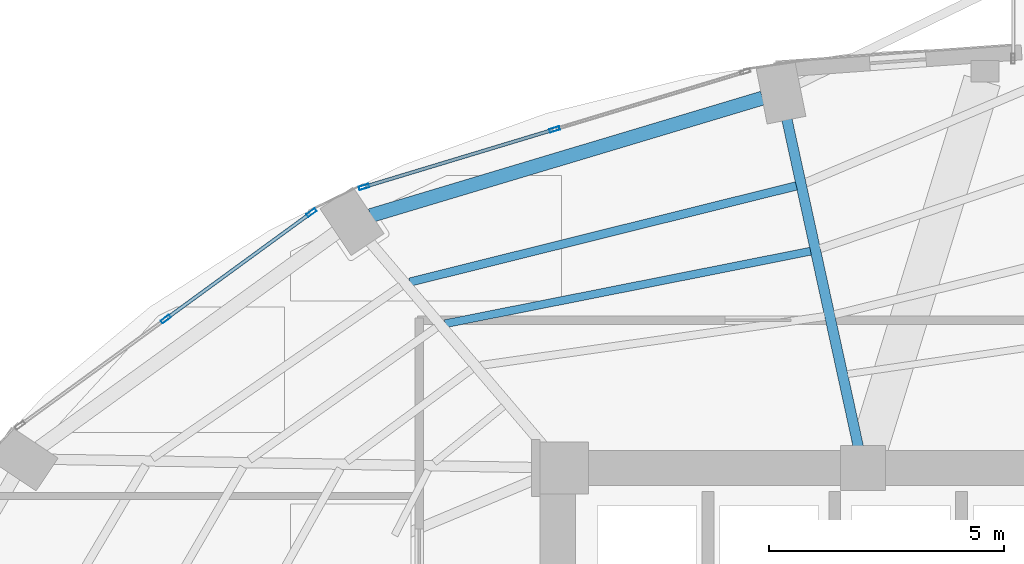
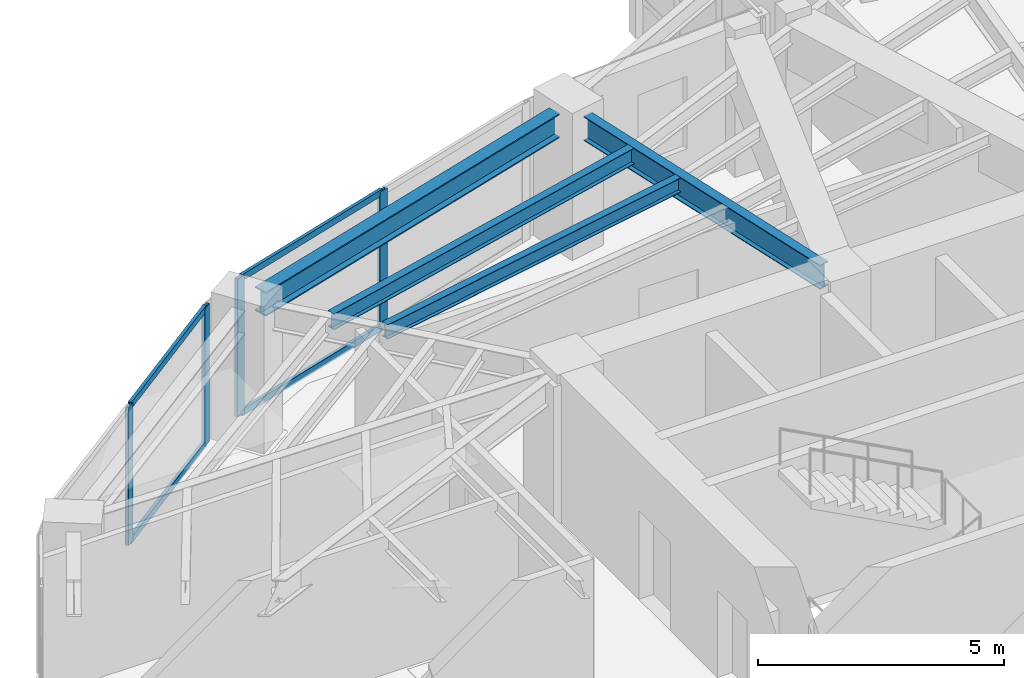
# One storey, part 14 of 24: 8 members, 4 beams, 2 elements without a shape of their own.
"""IFC4 building model written with IfcOpenShell, lengths in metres."""

from ifc_helpers import new_model, si_unit, direction, frame, origin, origin_2d, place, context, subcontext, project, spatial, hollow_rectangle, i_section, extrude, material, layer, layer_set, material_profile, profile_set, type_object, element, aggregate, save


model = new_model("IFC4")

# Units and contexts
model_context = context("Model", 3, precision=1e-05, world=origin(), true_north=direction((0.0, 1.0)))
body_context = subcontext(model_context, "Body", "Model", "MODEL_VIEW")
ifc_project = project(units=[si_unit("LENGTHUNIT", "METRE"), si_unit("AREAUNIT", "SQUARE_METRE"), si_unit("VOLUMEUNIT", "CUBIC_METRE"), si_unit("PLANEANGLEUNIT", "RADIAN"), si_unit("MASSUNIT", "GRAM", prefix="KILO")], contexts=[model_context])

# Site, building, storey
site_placement = place(None, origin())
site = spatial("IfcSite", under=ifc_project, at=site_placement, CompositionType="ELEMENT")
building_placement = place(site_placement, origin())
building = spatial("IfcBuilding", under=site, at=building_placement, Name="Lazwardi Medical Tower", CompositionType="ELEMENT")
storey_placement = place(building_placement, frame((0.0, 0.0, 96.3359375)))
storey = spatial("IfcBuildingStorey", under=building, at=storey_placement, Name="L24", CompositionType="ELEMENT", Elevation=96.3359375)

# Beams
ifc_material_1 = material(Name="Steel S355", Category="steel")
ifc_material_profile_1 = material_profile(ifc_material_1, i_section(OverallWidth=0.300048828125, OverallDepth=0.60009765625, WebThickness=0.015380859375, FlangeThickness=0.030029296875, at=origin_2d()), Name="HEB 600")
ifc_profile_set_1 = profile_set([ifc_material_profile_1], Name="Steel S355")
beam_type_1 = type_object("IfcBeamType", Name="BM-RB-Z2", PredefinedType="BEAM", material=ifc_profile_set_1)
beam_1_placement = place(storey_placement, frame((30.661865234375, 43.4794921875, 3.128173828125), z_axis=(-0.957879438442, -0.287170648587, 0.0), x_axis=(0.287170648587, -0.957879438442, 0.0)))
element("IfcBeam", 1, at=beam_1_placement, inside=storey, type_object=beam_type_1, Name="Ring beam RB-03 B09 L24", PredefinedType="BEAM", context=body_context, shape_type="SweptSolid", body=[
    extrude(i_section(OverallWidth=0.300048828125, OverallDepth=0.60009765625, WebThickness=0.015380859375, FlangeThickness=0.030029296875, at=origin_2d()), origin(), (0.0, 0.0, 1.0), 8.719970703125),
])
ifc_material_profile_2 = material_profile(ifc_material_1, i_section(OverallWidth=0.219970703125, OverallDepth=0.60009765625, WebThickness=0.011962890625, FlangeThickness=0.01904296875, at=origin_2d()), Name="IPE 600")
ifc_profile_set_2 = profile_set([ifc_material_profile_2], Name="Steel S355")
beam_type_2 = type_object("IfcBeamType", Name="BM-RG-W1", PredefinedType="BEAM", material=ifc_profile_set_2)
beam_2_placement = place(storey_placement, frame((31.17822265625, 43.03076171875, 3.128173828125), z_axis=(0.213228150441, -0.977002433907, 0.0), x_axis=(0.977002433907, 0.213228150441, 0.0)))
element("IfcBeam", 2, at=beam_2_placement, inside=storey, type_object=beam_type_2, Name="Radial girder RG-02 R09 L24", PredefinedType="BEAM", context=body_context, shape_type="SweptSolid", body=[
    extrude(i_section(OverallWidth=0.219970703125, OverallDepth=0.60009765625, WebThickness=0.011962890625, FlangeThickness=0.01904296875, at=origin_2d()), origin(), (0.0, 0.0, 1.0), 7.145751953125),
])
ifc_material_profile_3 = material_profile(ifc_material_1, i_section(OverallWidth=0.179931640625, OverallDepth=0.39990234375, WebThickness=0.008544921875, FlangeThickness=0.013427734375, at=origin_2d()), Name="IPE 400")
ifc_profile_set_3 = profile_set([ifc_material_profile_3], Name="Steel S355")
beam_type_3 = type_object("IfcBeamType", Name="BM-SJ-01", PredefinedType="JOIST", material=ifc_profile_set_3)
beam_3_placement = place(storey_placement, frame((31.381103515625, 41.609130859375, 3.22802734375), z_axis=(-0.970400881943, -0.241499748081, 0.0), x_axis=(0.241499748081, -0.970400881943, 0.0)))
element("IfcBeam", 3, at=beam_3_placement, inside=storey, type_object=beam_type_3, Name="Secondary joist SJ-01 R1 B09 L24", PredefinedType="JOIST", context=body_context, shape_type="SweptSolid", body=[
    extrude(i_section(OverallWidth=0.179931640625, OverallDepth=0.39990234375, WebThickness=0.008544921875, FlangeThickness=0.013427734375, at=origin_2d()), origin(), (0.0, 0.0, 1.0), 8.48583984375),
])
ifc_material_profile_4 = material_profile(ifc_material_1, i_section(OverallWidth=0.169921875, OverallDepth=0.360107421875, WebThickness=0.008056640625, FlangeThickness=0.0126953125, at=origin_2d()), Name="IPE 360")
ifc_profile_set_4 = profile_set([ifc_material_profile_4], Name="Steel S355")
beam_type_4 = type_object("IfcBeamType", Name="BM-SJ-02", PredefinedType="JOIST", material=ifc_profile_set_4)
beam_4_placement = place(storey_placement, frame((31.684814453125, 40.2177734375, 3.248046875), z_axis=(-0.980878853282, -0.194619308352, 0.0), x_axis=(0.194619308352, -0.980878853282, 0.0)))
element("IfcBeam", 4, at=beam_4_placement, inside=storey, type_object=beam_type_4, Name="Secondary joist SJ-02 R2 B09 L24", PredefinedType="JOIST", context=body_context, shape_type="SweptSolid", body=[
    extrude(i_section(OverallWidth=0.169921875, OverallDepth=0.360107421875, WebThickness=0.008056640625, FlangeThickness=0.0126953125, at=origin_2d()), origin(), (0.0, 0.0, 1.0), 7.93701171875),
])

# Curtain wall, members
ifc_material_2 = material(Name="Anodised bronze aluminium and solar control glazing", Category="aluminium")
ifc_layer = layer(ifc_material_2, 0.195068359375)
ifc_layer_set = layer_set([ifc_layer], Name="Anodised bronze aluminium and solar control glazing")
curtain_wall_type = type_object("IfcCurtainWallType", Name="CW-SYS-03", PredefinedType="NOTDEFINED", material=ifc_layer_set)
curtain_wall_1_placement = place(storey_placement, origin())
curtain_wall_1 = element("IfcCurtainWall", 5, at=curtain_wall_1_placement, inside=storey, type_object=curtain_wall_type, Name="L24 Unitised bronze curtain wall CW-03", PredefinedType="NOTDEFINED")
ifc_material_3 = material(Name="Anodised bronze aluminium", Category="aluminium")
ifc_material_profile_5 = material_profile(ifc_material_3, hollow_rectangle(XDim=0.074951171875, YDim=0.219970703125, WallThickness=0.00390625, at=origin_2d()), Name="ALU-MULLION 220x75x4")
ifc_profile_set_5 = profile_set([ifc_material_profile_5], Name="Anodised bronze aluminium")
member_type_1 = type_object("IfcMemberType", Name="CW-MUL-01", PredefinedType="MULLION", material=ifc_profile_set_5)
member_1_placement = place(storey_placement, frame((26.230712890625, 42.81298828125, 0.0), z_axis=(0.0, 0.0, 1.0), x_axis=(0.28937381157, -0.957216170558, 0.0)))
member_1 = element("IfcMember", 6, at=member_1_placement, type_object=member_type_1, Name="CW-03 mullion 2", PredefinedType="MULLION", context=body_context, shape_type="SweptSolid", body=[
    extrude(hollow_rectangle(XDim=0.074951171875, YDim=0.219970703125, WallThickness=0.00390625, at=origin_2d()), origin(), (0.0, 0.0, 1.0), 3.427978515625),
])
member_2_placement = place(storey_placement, frame((22.171630859375, 41.5859375, 0.0), z_axis=(0.0, 0.0, 1.0), x_axis=(0.28937381157, -0.957216170558, 0.0)))
member_2 = element("IfcMember", 7, at=member_2_placement, type_object=member_type_1, Name="CW-03 mullion 3", PredefinedType="MULLION", context=body_context, shape_type="SweptSolid", body=[
    extrude(hollow_rectangle(XDim=0.074951171875, YDim=0.219970703125, WallThickness=0.00390625, at=origin_2d()), origin(), (0.0, 0.0, 1.0), 3.427978515625),
])

curtain_wall_2_placement = place(storey_placement, origin())
curtain_wall_2 = element("IfcCurtainWall", 8, at=curtain_wall_2_placement, inside=storey, type_object=curtain_wall_type, Name="L24 Unitised bronze curtain wall CW-03", PredefinedType="NOTDEFINED")
member_3_placement = place(storey_placement, frame((21.052734375, 41.03955078125, 0.0), z_axis=(0.0, 0.0, 1.0), x_axis=(0.589530882802, -0.807745837639, 0.0)))
member_3 = element("IfcMember", 9, at=member_3_placement, type_object=member_type_1, Name="CW-03 mullion 1", PredefinedType="MULLION", context=body_context, shape_type="SweptSolid", body=[
    extrude(hollow_rectangle(XDim=0.074951171875, YDim=0.219970703125, WallThickness=0.00390625, at=origin_2d()), origin(), (0.0, 0.0, 1.0), 3.427978515625),
])
member_4_placement = place(storey_placement, frame((17.948974609375, 38.774169921875, 0.0), z_axis=(0.0, 0.0, 1.0), x_axis=(0.589530882802, -0.807745837639, 0.0)))
member_4 = element("IfcMember", 10, at=member_4_placement, type_object=member_type_1, Name="CW-03 mullion 2", PredefinedType="MULLION", context=body_context, shape_type="SweptSolid", body=[
    extrude(hollow_rectangle(XDim=0.074951171875, YDim=0.219970703125, WallThickness=0.00390625, at=origin_2d()), origin(), (0.0, 0.0, 1.0), 3.427978515625),
])

# Member
ifc_material_profile_6 = material_profile(ifc_material_3, hollow_rectangle(XDim=0.074951171875, YDim=0.159912109375, WallThickness=0.00390625, at=origin_2d()), Name="ALU-TRANSOM 160x75x4")
ifc_profile_set_6 = profile_set([ifc_material_profile_6], Name="Anodised bronze aluminium")
member_type_2 = type_object("IfcMemberType", Name="CW-TRN-01", PredefinedType="USERDEFINED", material=ifc_profile_set_6)
member_5_placement = place(storey_placement, frame((26.19482421875, 42.80224609375, 0.03759765625), z_axis=(-0.957220865985, -0.289358279168, 0.0), x_axis=(0.289358279168, -0.957220865985, 0.0)))
member_5 = element("IfcMember", 11, at=member_5_placement, type_object=member_type_2, Name="CW-03 transom 2.1", ObjectType="TRANSOM", PredefinedType="USERDEFINED", context=body_context, shape_type="SweptSolid", body=[
    extrude(hollow_rectangle(XDim=0.074951171875, YDim=0.159912109375, WallThickness=0.00390625, at=origin_2d()), origin(), (0.0, 0.0, 1.0), 4.16552734375),
])

member_6_placement = place(storey_placement, frame((26.19482421875, 42.80224609375, 3.390625), z_axis=(-0.957220865985, -0.289358279168, 0.0), x_axis=(0.289358279168, -0.957220865985, 0.0)))
member_6 = element("IfcMember", 12, at=member_6_placement, type_object=member_type_2, Name="CW-03 transom 2.2", ObjectType="TRANSOM", PredefinedType="USERDEFINED", context=body_context, shape_type="SweptSolid", body=[
    extrude(hollow_rectangle(XDim=0.074951171875, YDim=0.159912109375, WallThickness=0.00390625, at=origin_2d()), origin(), (0.0, 0.0, 1.0), 4.16552734375),
])

aggregate(curtain_wall_1, [member_1, member_2, member_5, member_6])

member_7_placement = place(storey_placement, frame((21.0224609375, 41.017578125, 0.03759765625), z_axis=(-0.807731734271, -0.589550206049, 0.0), x_axis=(0.589550206049, -0.807731734271, 0.0)))
member_7 = element("IfcMember", 13, at=member_7_placement, type_object=member_type_2, Name="CW-03 transom 1.1", ObjectType="TRANSOM", PredefinedType="USERDEFINED", context=body_context, shape_type="SweptSolid", body=[
    extrude(hollow_rectangle(XDim=0.074951171875, YDim=0.159912109375, WallThickness=0.00390625, at=origin_2d()), origin(), (0.0, 0.0, 1.0), 3.767578125),
])

member_8_placement = place(storey_placement, frame((21.0224609375, 41.017578125, 3.390625), z_axis=(-0.807731734271, -0.589550206049, 0.0), x_axis=(0.589550206049, -0.807731734271, 0.0)))
member_8 = element("IfcMember", 14, at=member_8_placement, type_object=member_type_2, Name="CW-03 transom 1.2", ObjectType="TRANSOM", PredefinedType="USERDEFINED", context=body_context, shape_type="SweptSolid", body=[
    extrude(hollow_rectangle(XDim=0.074951171875, YDim=0.159912109375, WallThickness=0.00390625, at=origin_2d()), origin(), (0.0, 0.0, 1.0), 3.767578125),
])

aggregate(curtain_wall_2, [member_3, member_4, member_7, member_8])

save(model, "model.ifc")
